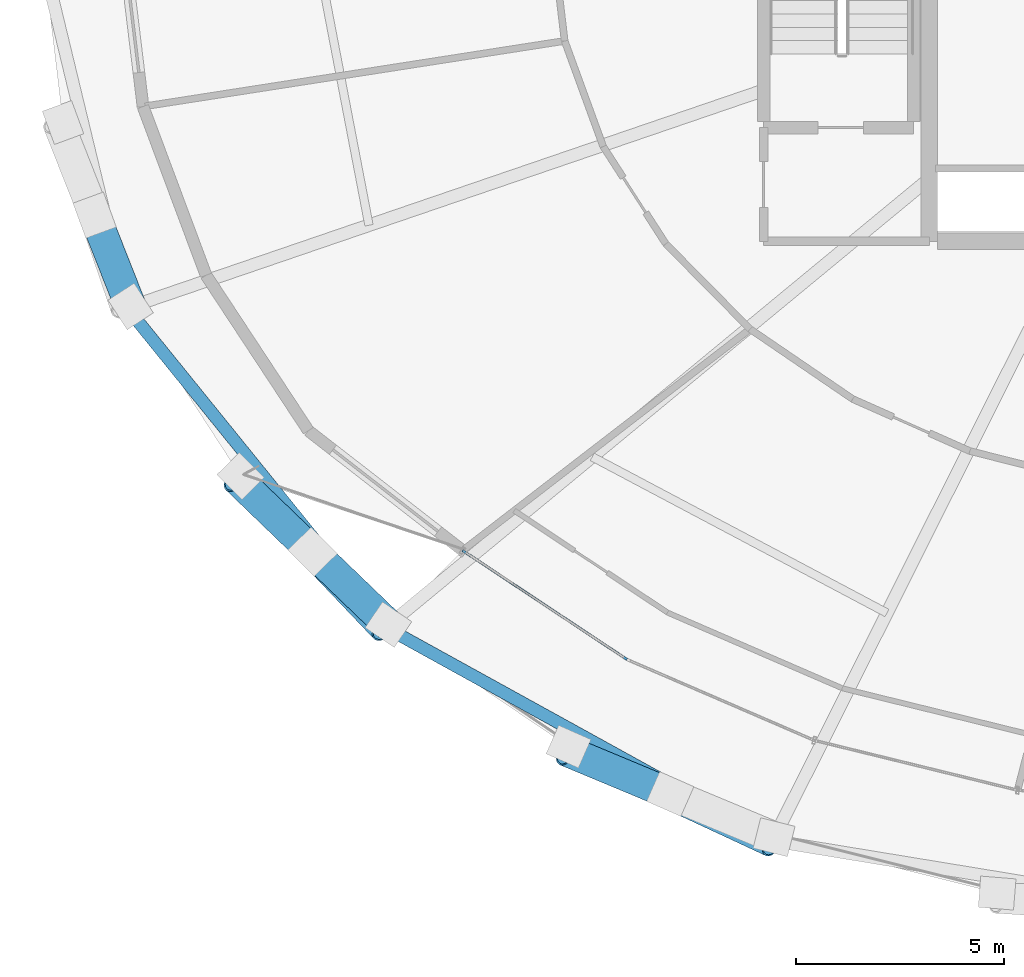
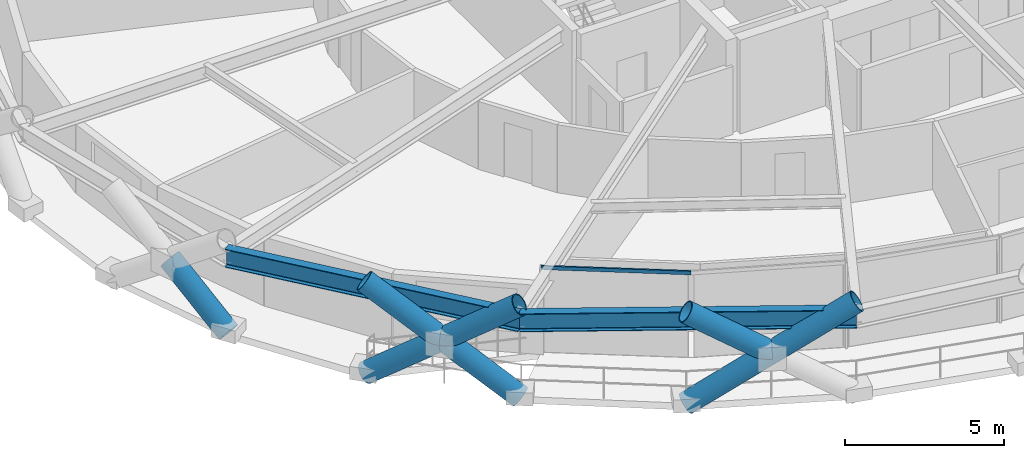
# One storey, part 1 of 17: 7 members, 2 beams, 1 element without a shape of its own.
"""IFC4 building model written with IfcOpenShell, lengths in metres."""

from ifc_helpers import new_model, si_unit, direction, frame, origin, origin_2d, place, context, subcontext, project, spatial, hollow_rectangle, hollow_circle, i_section, extrude, material, layer, layer_set, material_profile, profile_set, type_object, element, aggregate, save


model = new_model("IFC4")

# Units and contexts
model_context = context("Model", 3, precision=1e-05, world=origin(), true_north=direction((0.0, 1.0)))
body_context = subcontext(model_context, "Body", "Model", "MODEL_VIEW")
ifc_project = project(units=[si_unit("LENGTHUNIT", "METRE"), si_unit("AREAUNIT", "SQUARE_METRE"), si_unit("VOLUMEUNIT", "CUBIC_METRE"), si_unit("PLANEANGLEUNIT", "RADIAN"), si_unit("MASSUNIT", "GRAM", prefix="KILO")], contexts=[model_context])

# Site, building, storey
site_placement = place(None, origin())
site = spatial("IfcSite", under=ifc_project, at=site_placement, CompositionType="ELEMENT")
building_placement = place(site_placement, origin())
building = spatial("IfcBuilding", under=site, at=building_placement, Name="Veldorina Hangang Commons", CompositionType="ELEMENT")
storey_placement = place(building_placement, frame((0.0, 0.0, 55.60009765625)))
storey = spatial("IfcBuildingStorey", under=building, at=storey_placement, Name="L13", CompositionType="ELEMENT", Elevation=55.60009765625)

# Beams
ifc_material_1 = material(Name="Steel SM460-TMC", Category="steel")
ifc_material_profile_1 = material_profile(ifc_material_1, i_section(OverallWidth=0.300048828125, OverallDepth=0.699951171875, WebThickness=0.012939453125, FlangeThickness=0.02392578125, FilletRadius=0.02197265625, at=origin_2d()), Name="H-700x300x13x24")
ifc_profile_set_1 = profile_set([ifc_material_profile_1], Name="Steel SM460-TMC")
beam_type = type_object("IfcBeamType", Name="BM-RB700", PredefinedType="BEAM", material=ifc_profile_set_1)
beam_1_placement = place(storey_placement, frame((5.52734375, 14.947998046875, 2.989990234375), z_axis=(0.629166215376, -0.777270785138, 0.0), x_axis=(0.777270785138, 0.629166215376, 0.0)))
element("IfcBeam", 1, at=beam_1_placement, inside=storey, type_object=beam_type, Name="L13 perimeter hoop ring beam 18", PredefinedType="BEAM", context=body_context, shape_type="SweptSolid", body=[
    extrude(i_section(OverallWidth=0.300048828125, OverallDepth=0.699951171875, WebThickness=0.012939453125, FlangeThickness=0.02392578125, FilletRadius=0.02197265625, at=origin_2d()), origin(), (0.0, 0.0, 1.0), 9.87255859375),
])
beam_2_placement = place(storey_placement, frame((11.73876953125, 7.2744140625, 2.989990234375), z_axis=(0.875620948621, -0.482998917531, 0.0), x_axis=(0.482998917531, 0.875620948621, 0.0)))
element("IfcBeam", 2, at=beam_2_placement, inside=storey, type_object=beam_type, Name="L13 perimeter hoop ring beam 20", PredefinedType="BEAM", context=body_context, shape_type="SweptSolid", body=[
    extrude(i_section(OverallWidth=0.300048828125, OverallDepth=0.699951171875, WebThickness=0.012939453125, FlangeThickness=0.02392578125, FilletRadius=0.02197265625, at=origin_2d()), origin(), (0.0, 0.0, 1.0), 10.616455078125),
])

# Curtain wall, member
ifc_material_2 = material(Name="Glass Low-E Triple IGU", Category="glass")
ifc_layer = layer(ifc_material_2, 0.179931640625)
ifc_layer_set = layer_set([ifc_layer], Name="Glass Low-E Triple IGU")
curtain_wall_type = type_object("IfcCurtainWallType", Name="CW-SYS-Z1", PredefinedType="NOTDEFINED", material=ifc_layer_set)
curtain_wall_placement = place(storey_placement, origin())
curtain_wall = element("IfcCurtainWall", 3, at=curtain_wall_placement, inside=storey, type_object=curtain_wall_type, Name="L13 unitised curtain wall CW-L13-R1", PredefinedType="NOTDEFINED")
ifc_material_3 = material(Name="Aluminium Anodized AA6063-T6", Category="aluminium")
ifc_material_profile_2 = material_profile(ifc_material_3, hollow_rectangle(XDim=0.06005859375, YDim=0.139892578125, WallThickness=0.00341796875, at=origin_2d()), Name="ALU-RHS-140x60x3.5")
ifc_profile_set_2 = profile_set([ifc_material_profile_2], Name="Aluminium Anodized AA6063-T6")
member_type_1 = type_object("IfcMemberType", Name="CW-TRN-140", PredefinedType="USERDEFINED", material=ifc_profile_set_2)
member_1_placement = place(storey_placement, frame((13.58642578125, 9.1220703125, 3.260009765625), z_axis=(0.833427960138, -0.552628116603, 0.0), x_axis=(0.552628116603, 0.833427960138, 0.0)))
member_1 = element("IfcMember", 4, at=member_1_placement, type_object=member_type_1, Name="CW-L13-R1 facet 1 transom 1", ObjectType="TRANSOM", PredefinedType="USERDEFINED", context=body_context, shape_type="SweptSolid", body=[
    extrude(hollow_rectangle(XDim=0.06005859375, YDim=0.139892578125, WallThickness=0.00341796875, at=origin_2d()), origin(), (0.0, 0.0, 1.0), 4.735107421875),
])
aggregate(curtain_wall, [member_1])

# Members
ifc_material_profile_3 = material_profile(ifc_material_1, hollow_circle(Radius=0.375, WallThickness=0.035888671875, at=origin_2d()), Name="CHS-750x36")
ifc_profile_set_3 = profile_set([ifc_material_profile_3], Name="Steel SM460-TMC")
member_type_2 = type_object("IfcMemberType", Name="DG-CHS750", PredefinedType="BRACE", material=ifc_profile_set_3)
member_2_placement = place(storey_placement, frame((5.61328125, 14.983642578125, 0.0), z_axis=(-0.292129211773, 0.740082632364, 0.605754257849), x_axis=(-0.930158942506, -0.36715710762, 0.0)))
element("IfcMember", 5, at=member_2_placement, inside=storey, type_object=member_type_2, Name="L13 split perimeter diagrid lower brace 18", PredefinedType="BRACE", context=body_context, shape_type="SweptSolid", body=[
    extrude(hollow_circle(Radius=0.375, WallThickness=0.035888671875, at=origin_2d()), origin(), (0.0, 0.0, 1.0), 2.96435546875),
])
member_3_placement = place(storey_placement, frame((8.252685546875, 10.910400390625, 0.0), z_axis=(0.560861346159, -0.58940912559, 0.581404706771), x_axis=(0.724432910302, 0.689345311489, 0.0)))
element("IfcMember", 6, at=member_3_placement, inside=storey, type_object=member_type_2, Name="L13 continuous perimeter diagrid brace 19", PredefinedType="BRACE", context=body_context, shape_type="SweptSolid", body=[
    extrude(hollow_circle(Radius=0.375, WallThickness=0.035888671875, at=origin_2d()), origin(), (0.0, 0.0, 1.0), 6.191650390625),
])
member_4_placement = place(storey_placement, frame((11.804443359375, 7.340087890625, 0.0), z_axis=(-0.587309731401, 0.564769395494, 0.579743744524), x_axis=(-0.693139644193, -0.72080332522, 0.0)))
element("IfcMember", 7, at=member_4_placement, inside=storey, type_object=member_type_2, Name="L13 split perimeter diagrid lower brace 20", PredefinedType="BRACE", context=body_context, shape_type="SweptSolid", body=[
    extrude(hollow_circle(Radius=0.375, WallThickness=0.035888671875, at=origin_2d()), origin(), (0.0, 0.0, 1.0), 3.09765625),
])
member_5_placement = place(storey_placement, frame((9.985107421875, 9.089599609375, 1.7958984375), z_axis=(-0.586801334087, 0.565221985749, 0.579817472261), x_axis=(-0.693739775548, -0.720225745043, 0.0)))
element("IfcMember", 8, at=member_5_placement, inside=storey, type_object=member_type_2, Name="L13 split perimeter diagrid upper brace 20", PredefinedType="BRACE", context=body_context, shape_type="SweptSolid", body=[
    extrude(hollow_circle(Radius=0.375, WallThickness=0.035888671875, at=origin_2d()), origin(), (0.0, 0.0, 1.0), 3.111328125),
])
member_6_placement = place(storey_placement, frame((16.132568359375, 4.409912109375, 0.0), z_axis=(0.754216719352, -0.351395998577, 0.554687292476), x_axis=(0.422321064018, 0.906446313295, 0.0)))
element("IfcMember", 9, at=member_6_placement, inside=storey, type_object=member_type_2, Name="L13 continuous perimeter diagrid brace 21", PredefinedType="BRACE", context=body_context, shape_type="SweptSolid", body=[
    extrude(hollow_circle(Radius=0.375, WallThickness=0.035888671875, at=origin_2d()), origin(), (0.0, 0.0, 1.0), 6.489990234375),
])
member_7_placement = place(storey_placement, frame((18.574951171875, 3.27197265625, 1.79638671875), z_axis=(-0.768656907012, 0.320679555708, 0.553471934116), x_axis=(-0.385030547592, -0.922903828912, 0.0)))
element("IfcMember", 10, at=member_7_placement, inside=storey, type_object=member_type_2, Name="L13 split perimeter diagrid upper brace 22", PredefinedType="BRACE", context=body_context, shape_type="SweptSolid", body=[
    extrude(hollow_circle(Radius=0.375, WallThickness=0.035888671875, at=origin_2d()), origin(), (0.0, 0.0, 1.0), 3.258544921875),
])

save(model, "model.ifc")
